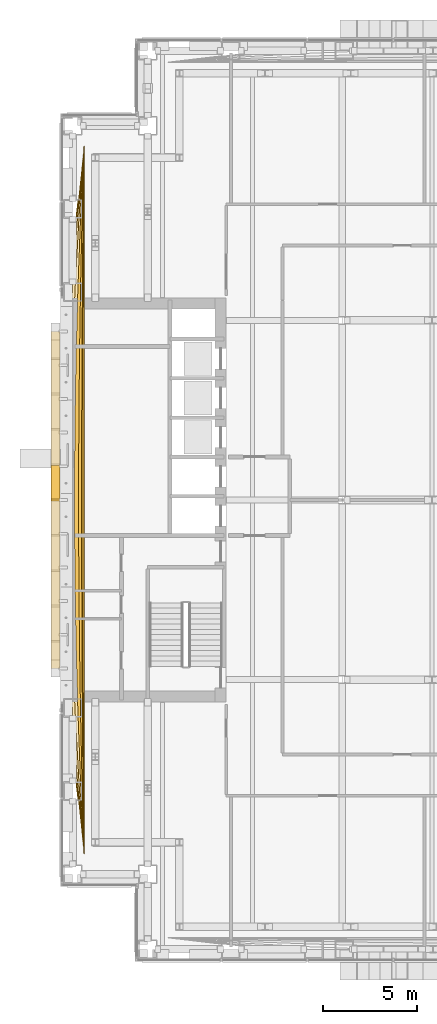
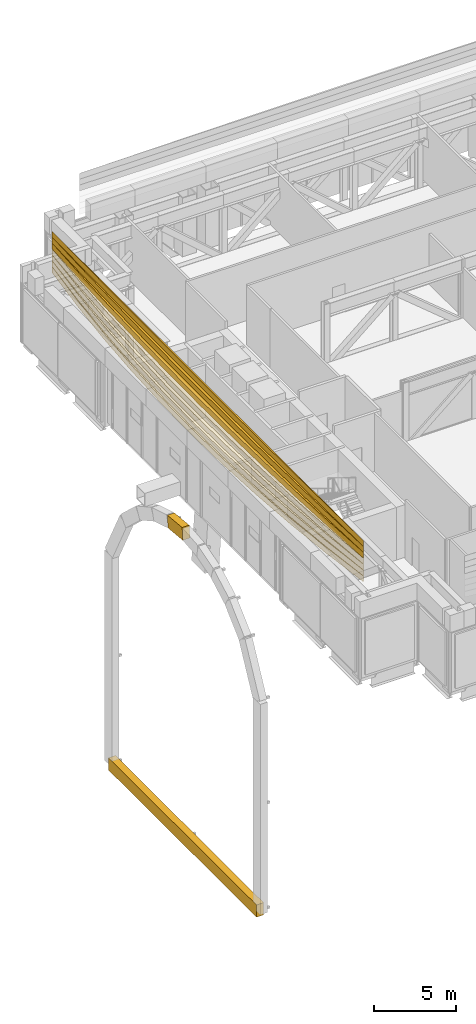
# One storey, part 25 of 39: 9 coverings.
"""IFC4 building model written with IfcOpenShell, lengths in metres."""

from ifc_helpers import new_model, si_unit, direction, frame, origin, origin_2d, place, context, subcontext, project, spatial, polyline, rectangle, outline, extrude, material, material_profile, profile_set, type_object, element, save


model = new_model("IFC4")

# Units and contexts
model_context = context("Model", 3, precision=1e-05, world=origin(), true_north=direction((0.0, 1.0)))
body_context = subcontext(model_context, "Body", "Model", "MODEL_VIEW")
ifc_project = project(units=[si_unit("LENGTHUNIT", "METRE"), si_unit("AREAUNIT", "SQUARE_METRE"), si_unit("VOLUMEUNIT", "CUBIC_METRE"), si_unit("PLANEANGLEUNIT", "RADIAN"), si_unit("MASSUNIT", "GRAM", prefix="KILO")], contexts=[model_context])

# Site, building, storey
site_placement = place(None, origin())
site = spatial("IfcSite", under=ifc_project, at=site_placement, CompositionType="ELEMENT")
building_placement = place(site_placement, origin())
building = spatial("IfcBuilding", under=site, at=building_placement, Name="Cobrizo Arcos Hotel Tower", CompositionType="ELEMENT")
storey_placement = place(building_placement, frame((0.0, 0.0, 84.5)))
storey = spatial("IfcBuildingStorey", under=building, at=storey_placement, Name="L20", CompositionType="ELEMENT", Elevation=84.5)

# Coverings
ifc_material = material(Name="Aluminium 6063-T6 anodised pale", Category="aluminium")
ifc_material_profile = material_profile(ifc_material, rectangle(XDim=0.5, YDim=0.89990234375, at=origin_2d()), Name="AF-2 core arch rim 500x900")
ifc_profile_set = profile_set([ifc_material_profile], Name="Aluminium 6063-T6 anodised pale")
covering_type_1 = type_object("IfcCoveringType", Name="AF-2 core arch rim 500x900", PredefinedType="CLADDING", material=ifc_profile_set)
covering_1_placement = place(storey_placement, frame((-24.925048828125, 0.0, -1.5400390625), z_axis=(0.0, 0.995278769418, -0.097057566148), x_axis=(-1.0, 0.0, 0.0)))
element("IfcCovering", 1, at=covering_1_placement, inside=storey, type_object=covering_type_1, Name="Arch rim A W face", PredefinedType="CLADDING", context=body_context, shape_type="SweptSolid", body=[
    extrude(rectangle(XDim=0.5, YDim=0.89990234375, at=origin_2d()), origin(), (0.0, 0.0, 1.0), 1.80859375),
])
covering_2_placement = place(storey_placement, frame((-24.925048828125, -9.0, -24.050048828125), z_axis=(0.0, 1.0, 0.0), x_axis=(-1.0, 0.0, 0.0)))
element("IfcCovering", 2, at=covering_2_placement, inside=storey, type_object=covering_type_1, Name="Arch rim A W face", PredefinedType="CLADDING", context=body_context, shape_type="SweptSolid", body=[
    extrude(rectangle(XDim=0.5, YDim=0.89990234375, at=origin_2d()), origin(), (0.0, 0.0, 1.0), 18.0),
])
covering_type_2 = type_object("IfcCoveringType", Name="LF-2 setback roll course", PredefinedType="CLADDING", material=ifc_material)
covering_3_placement = place(storey_placement, frame((0.0, 0.0, 5.75)))
element("IfcCovering", 3, at=covering_3_placement, inside=storey, type_object=covering_type_2, Name="Setback roll L20 W", PredefinedType="CLADDING", context=body_context, shape_type="SweptSolid", body=[
    extrude(outline(polyline([(-23.39990234375, 18.89990234375), (-23.844970703125, 15.1201171875), (-24.19091796875, 11.340087890625), (-24.438232421875, 7.56005859375), (-24.58642578125, 3.780029296875), (-24.635986328125, 0.0), (-24.58642578125, -3.780029296875), (-24.438232421875, -7.56005859375), (-24.19091796875, -11.340087890625), (-23.844970703125, -15.1201171875), (-23.39990234375, -18.89990234375), (-23.39990234375, -18.89990234375), (-23.39990234375, 18.89990234375)])), origin(), (0.0, 0.0, 1.0), 0.4375),
])
covering_4_placement = place(storey_placement, frame((0.0, 0.0, 6.1875)))
element("IfcCovering", 4, at=covering_4_placement, inside=storey, type_object=covering_type_2, Name="Setback roll L20 W", PredefinedType="CLADDING", context=body_context, shape_type="SweptSolid", body=[
    extrude(outline(polyline([(-23.39990234375, 18.89990234375), (-23.80859375, 15.1201171875), (-24.126220703125, 11.340087890625), (-24.35302734375, 7.56005859375), (-24.4892578125, 3.780029296875), (-24.53466796875, 0.0), (-24.4892578125, -3.780029296875), (-24.35302734375, -7.56005859375), (-24.126220703125, -11.340087890625), (-23.80859375, -15.1201171875), (-23.39990234375, -18.89990234375), (-23.39990234375, -18.89990234375), (-23.39990234375, 18.89990234375)])), origin(), (0.0, 0.0, 1.0), 0.4375),
])
covering_5_placement = place(storey_placement, frame((0.0, 0.0, 6.625)))
element("IfcCovering", 5, at=covering_5_placement, inside=storey, type_object=covering_type_2, Name="Setback roll L20 W", PredefinedType="CLADDING", context=body_context, shape_type="SweptSolid", body=[
    extrude(outline(polyline([(-23.39990234375, 18.89990234375), (-23.74560546875, 15.1201171875), (-24.014404296875, 11.340087890625), (-24.20654296875, 7.56005859375), (-24.32177734375, 3.780029296875), (-24.360107421875, 0.0), (-24.32177734375, -3.780029296875), (-24.20654296875, -7.56005859375), (-24.014404296875, -11.340087890625), (-23.74560546875, -15.1201171875), (-23.39990234375, -18.89990234375), (-23.39990234375, -18.89990234375), (-23.39990234375, 18.89990234375)])), origin(), (0.0, 0.0, 1.0), 0.4375),
])
covering_6_placement = place(storey_placement, frame((0.0, 0.0, 7.0625)))
element("IfcCovering", 6, at=covering_6_placement, inside=storey, type_object=covering_type_2, Name="Setback roll L20 W", PredefinedType="CLADDING", context=body_context, shape_type="SweptSolid", body=[
    extrude(outline(polyline([(-23.39990234375, 18.89990234375), (-23.6669921875, 15.1201171875), (-23.87451171875, 11.340087890625), (-24.02294921875, 7.56005859375), (-24.11181640625, 3.780029296875), (-24.1416015625, 0.0), (-24.11181640625, -3.780029296875), (-24.02294921875, -7.56005859375), (-23.87451171875, -11.340087890625), (-23.6669921875, -15.1201171875), (-23.39990234375, -18.89990234375), (-23.39990234375, -18.89990234375), (-23.39990234375, 18.89990234375)])), origin(), (0.0, 0.0, 1.0), 0.4375),
])
covering_7_placement = place(storey_placement, frame((0.0, 0.0, 7.5)))
element("IfcCovering", 7, at=covering_7_placement, inside=storey, type_object=covering_type_2, Name="Setback roll L20 W", PredefinedType="CLADDING", context=body_context, shape_type="SweptSolid", body=[
    extrude(outline(polyline([(-23.39990234375, 18.89990234375), (-23.5830078125, 15.1201171875), (-23.725341796875, 11.340087890625), (-23.8271484375, 7.56005859375), (-23.88818359375, 3.780029296875), (-23.908447265625, 0.0), (-23.88818359375, -3.780029296875), (-23.8271484375, -7.56005859375), (-23.725341796875, -11.340087890625), (-23.5830078125, -15.1201171875), (-23.39990234375, -18.89990234375), (-23.39990234375, -18.89990234375), (-23.39990234375, 18.89990234375)])), origin(), (0.0, 0.0, 1.0), 0.4375),
])
covering_8_placement = place(storey_placement, frame((0.0, 0.0, 7.9375)))
element("IfcCovering", 8, at=covering_8_placement, inside=storey, type_object=covering_type_2, Name="Setback roll L20 W", PredefinedType="CLADDING", context=body_context, shape_type="SweptSolid", body=[
    extrude(outline(polyline([(-23.39990234375, 18.89990234375), (-23.50439453125, 15.1201171875), (-23.58544921875, 11.340087890625), (-23.6435546875, 7.56005859375), (-23.67822265625, 3.780029296875), (-23.68994140625, 0.0), (-23.67822265625, -3.780029296875), (-23.6435546875, -7.56005859375), (-23.58544921875, -11.340087890625), (-23.50439453125, -15.1201171875), (-23.39990234375, -18.89990234375), (-23.39990234375, -18.89990234375), (-23.39990234375, 18.89990234375)])), origin(), (0.0, 0.0, 1.0), 0.4375),
])
covering_9_placement = place(storey_placement, frame((0.0, 0.0, 8.375)))
element("IfcCovering", 9, at=covering_9_placement, inside=storey, type_object=covering_type_2, Name="Setback roll L20 W", PredefinedType="CLADDING", context=body_context, shape_type="SweptSolid", body=[
    extrude(outline(polyline([(-23.39990234375, 18.89990234375), (-23.44140625, 15.1201171875), (-23.473876953125, 11.340087890625), (-23.496826171875, 7.56005859375), (-23.5107421875, 3.780029296875), (-23.515380859375, 0.0), (-23.5107421875, -3.780029296875), (-23.496826171875, -7.56005859375), (-23.473876953125, -11.340087890625), (-23.44140625, -15.1201171875), (-23.39990234375, -18.89990234375), (-23.39990234375, -18.89990234375), (-23.39990234375, 18.89990234375)])), origin(), (0.0, 0.0, 1.0), 0.4375),
])

save(model, "model.ifc")
